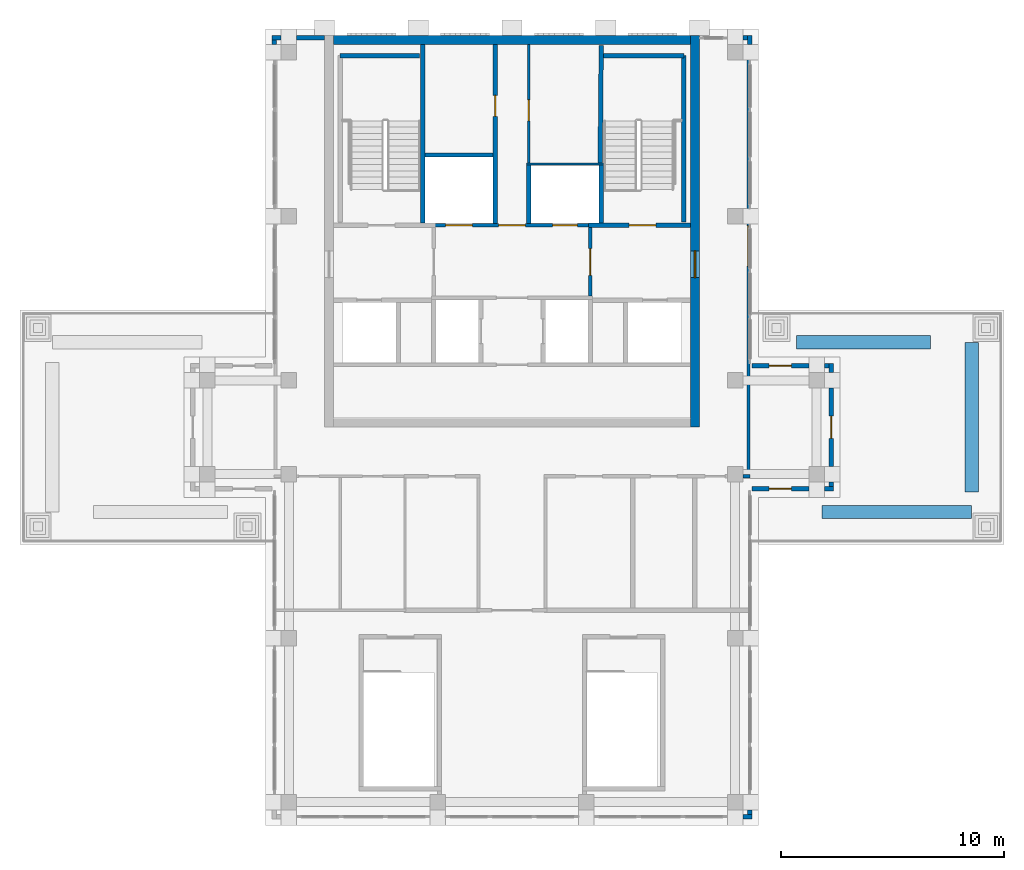
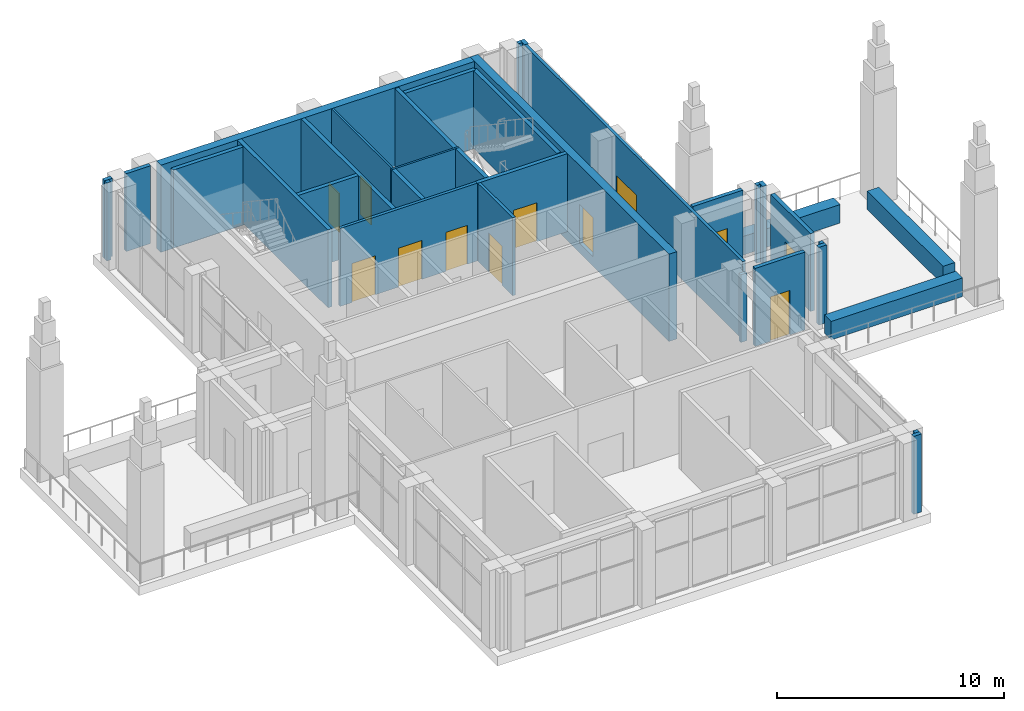
# One storey, part 8 of 12: 35 walls, 12 doors, 12 openings.
"""IFC4 building model written with IfcOpenShell, lengths in metres."""

from ifc_helpers import new_model, si_unit, direction, frame, frame_2d, origin, place, context, subcontext, project, spatial, rectangle, extrude, material, layer, layer_set, type_object, element, fill, save


model = new_model("IFC4")

# Units and contexts
model_context = context("Model", 3, precision=1e-05, world=origin(), true_north=direction((0.0, 1.0)))
body_context = subcontext(model_context, "Body", "Model", "MODEL_VIEW")
ifc_project = project(units=[si_unit("LENGTHUNIT", "METRE"), si_unit("AREAUNIT", "SQUARE_METRE"), si_unit("VOLUMEUNIT", "CUBIC_METRE"), si_unit("PLANEANGLEUNIT", "RADIAN"), si_unit("MASSUNIT", "GRAM", prefix="KILO")], contexts=[model_context])

# Site, building, storey
site_placement = place(None, origin())
site = spatial("IfcSite", under=ifc_project, at=site_placement, CompositionType="ELEMENT")
building_placement = place(site_placement, origin())
building = spatial("IfcBuilding", under=site, at=building_placement, Name="Vermilion Ogive Tower", CompositionType="ELEMENT")
storey_placement = place(building_placement, frame((0.0, 0.0, 298.35009765625)))
storey = spatial("IfcBuildingStorey", under=building, at=storey_placement, Name="L77", CompositionType="ELEMENT", Elevation=298.35009765625)

# Wall, opening, door
ifc_material_1 = material(Name="Concrete B60", Category="concrete")
ifc_layer_1 = layer(ifc_material_1, 0.39990234375)
ifc_layer_set_1 = layer_set([ifc_layer_1], Name="Core wall 400 B60")
wall_type_1 = type_object("IfcWallType", Name="Core wall 400 B60", PredefinedType="SHEAR", material=ifc_layer_set_1)
wall_1_placement = place(storey_placement, frame((8.199951171875, 4.199951171875, -0.5), z_axis=(0.0, 0.0, 1.0), x_axis=(0.0, 1.0, 0.0)))
wall_1 = element("IfcWall", 1, at=wall_1_placement, inside=storey, type_object=wall_type_1, Name="L77-CORE-E", PredefinedType="SHEAR", context=body_context, shape_type="SweptSolid", body=[
    extrude(rectangle(XDim=17.550048828125, YDim=0.39990234375, at=frame_2d((8.77490234375, 0.0))), origin(), (0.0, 0.0, 1.0), 4.699951171875),
])
opening_1_placement = place(wall_1_placement, frame((6.699951171875, 0.0, 0.5)))
opening_1 = element("IfcOpeningElement", 2, at=opening_1_placement, cuts=wall_1, Name="Opening DAY007", PredefinedType="OPENING", context=body_context, shape_type="SweptSolid", body=[
    extrude(rectangle(XDim=1.199951171875, YDim=2.10009765625, at=frame_2d((0.60009765625, 1.050048828125))), frame((0.0, 0.2099609375, 0.0), z_axis=(0.0, -1.0, 0.0), x_axis=(1.0, 0.0, 0.0)), (0.0, 0.0, 1.0), 0.419921875),
])
ifc_material_2 = material(Name="Timber door leaf", Category="wood")
door_type_1 = type_object("IfcDoorType", Name="Link door 1200 x 2100 FD60S", OperationType="SINGLE_SWING_LEFT", PredefinedType="DOOR", material=ifc_material_2)
door_1_placement = place(opening_1_placement, origin())
door_1 = element("IfcDoor", 3, at=door_1_placement, inside=storey, type_object=door_type_1, Name="L77-CK-XD2", OperationType="SINGLE_SWING_LEFT", OverallHeight=2.10009765625, OverallWidth=1.199951171875, PredefinedType="DOOR", context=body_context, shape_type="SweptSolid", body=[
    extrude(rectangle(XDim=1.199951171875, YDim=2.10009765625, at=frame_2d((0.60009765625, 1.050048828125))), frame((0.0, 0.02490234375, 0.0), z_axis=(0.0, -1.0, 0.0), x_axis=(1.0, 0.0, 0.0)), (0.0, 0.0, 1.0), 0.050048828125),
])
fill(opening_1, door_1)

# Walls
wall_2_placement = place(storey_placement, frame((-8.0, 21.550048828125, -0.5), z_axis=(0.0, 0.0, 1.0), x_axis=(1.0, 0.0, 0.0)))
element("IfcWall", 4, at=wall_2_placement, inside=storey, type_object=wall_type_1, Name="L77-CORE-N", PredefinedType="SHEAR", context=body_context, shape_type="SweptSolid", body=[
    extrude(rectangle(XDim=16.0, YDim=0.39990234375, at=frame_2d((8.0, 0.0))), origin(), (0.0, 0.0, 1.0), 4.699951171875),
])
ifc_material_3 = material(Name="Gypsum board partition on steel studs", Category="steel")
ifc_layer_2 = layer(ifc_material_3, 0.10009765625)
ifc_layer_set_2 = layer_set([ifc_layer_2], Name="Partition 100 bath")
wall_type_2 = type_object("IfcWallType", Name="Partition 100 bath", PredefinedType="PARTITIONING", material=ifc_layer_set_2)
wall_3_placement = place(storey_placement, frame((0.64990234375, 16.0, 0.0), z_axis=(0.0, 0.0, 1.0), x_axis=(1.0, 0.0, 0.0)))
element("IfcWall", 5, at=wall_3_placement, inside=storey, type_object=wall_type_2, Name="L77-CK-W-W008", PredefinedType="PARTITIONING", context=body_context, shape_type="SweptSolid", body=[
    extrude(rectangle(XDim=3.4501953125, YDim=0.10009765625, at=frame_2d((1.72509765625, 0.0))), origin(), (0.0, 0.0, 1.0), 4.199951171875),
])

# Wall, opening, door
wall_4_placement = place(storey_placement, frame((0.75, 16.050048828125, 0.0), z_axis=(0.0, 0.0, 1.0), x_axis=(0.0, 1.0, 0.0)))
wall_4 = element("IfcWall", 6, at=wall_4_placement, inside=storey, type_object=wall_type_2, Name="L77-CK-W-W017", PredefinedType="PARTITIONING", context=body_context, shape_type="SweptSolid", body=[
    extrude(rectangle(XDim=5.299072265625, YDim=0.10009765625, at=frame_2d((2.6494140625, 0.0))), origin(), (0.0, 0.0, 1.0), 4.199951171875),
])
opening_2_placement = place(wall_4_placement, frame((1.875, 0.0, 0.0)))
opening_2 = element("IfcOpeningElement", 7, at=opening_2_placement, cuts=wall_4, Name="Opening DAE089", PredefinedType="OPENING", context=body_context, shape_type="SweptSolid", body=[
    extrude(rectangle(XDim=0.949951171875, YDim=2.10009765625, at=frame_2d((0.47509765625, 1.050048828125))), frame((0.0, 0.06005859375, 0.0), z_axis=(0.0, -1.0, 0.0), x_axis=(1.0, 0.0, 0.0)), (0.0, 0.0, 1.0), 0.1201171875),
])
ifc_material_4 = material(Name="Timber door leaf", Category="wood")
door_type_2 = type_object("IfcDoorType", Name="Service door 950 x 2100 FD60", OperationType="SINGLE_SWING_LEFT", PredefinedType="DOOR", material=ifc_material_4)
door_2_placement = place(opening_2_placement, origin())
door_2 = element("IfcDoor", 8, at=door_2_placement, inside=storey, type_object=door_type_2, Name="L77-CK-D-D013", OperationType="SINGLE_SWING_LEFT", OverallHeight=2.10009765625, OverallWidth=0.949951171875, PredefinedType="DOOR", context=body_context, shape_type="SweptSolid", body=[
    extrude(rectangle(XDim=0.949951171875, YDim=2.10009765625, at=frame_2d((0.47509765625, 1.050048828125))), frame((0.0, 0.02490234375, 0.0), z_axis=(0.0, -1.0, 0.0), x_axis=(1.0, 0.0, 0.0)), (0.0, 0.0, 1.0), 0.050048828125),
])
fill(opening_2, door_2)

ifc_material_5 = material(Name="Gypsum board partition on steel studs", Category="steel")
ifc_layer_3 = layer(ifc_material_5, 0.14990234375)
ifc_layer_set_3 = layer_set([ifc_layer_3], Name="Partition 150 corridor")
wall_type_3 = type_object("IfcWallType", Name="Partition 150 corridor", PredefinedType="PARTITIONING", material=ifc_layer_set_3)
wall_5_placement = place(storey_placement, frame((10.60009765625, 2.074951171875, 0.0), z_axis=(0.0, 0.0, 1.0), x_axis=(0.0, 1.0, 0.0)))
wall_5 = element("IfcWall", 9, at=wall_5_placement, inside=storey, type_object=wall_type_3, Name="L77-FS-W-W015", PredefinedType="PARTITIONING", context=body_context, shape_type="SweptSolid", body=[
    extrude(rectangle(XDim=19.275146484375, YDim=0.14990234375, at=frame_2d((9.6376953125, 0.0))), origin(), (0.0, 0.0, 1.0), 4.199951171875),
])
opening_3_placement = place(wall_5_placement, frame((9.35009765625, 0.0, 0.0)))
opening_3 = element("IfcOpeningElement", 10, at=opening_3_placement, cuts=wall_5, Name="Opening L77S009", PredefinedType="OPENING", context=body_context, shape_type="SweptSolid", body=[
    extrude(rectangle(XDim=1.800048828125, YDim=2.10009765625, at=frame_2d((0.89990234375, 1.050048828125))), frame((0.0, 0.0849609375, 0.0), z_axis=(0.0, -1.0, 0.0), x_axis=(1.0, 0.0, 0.0)), (0.0, 0.0, 1.0), 0.169921875),
])
ifc_material_6 = material(Name="Timber door leaf", Category="wood")
door_type_3 = type_object("IfcDoorType", Name="External door 1800 x 2100 FD30", OperationType="DOUBLE_DOOR_SINGLE_SWING", PredefinedType="DOOR", material=ifc_material_6)
door_3_placement = place(opening_3_placement, origin())
door_3 = element("IfcDoor", 11, at=door_3_placement, inside=storey, type_object=door_type_3, Name="L77-FS-D-D009", OperationType="DOUBLE_DOOR_SINGLE_SWING", OverallHeight=2.10009765625, OverallWidth=1.800048828125, PredefinedType="DOOR", context=body_context, shape_type="SweptSolid", body=[
    extrude(rectangle(XDim=1.800048828125, YDim=2.10009765625, at=frame_2d((0.89990234375, 1.050048828125))), frame((0.0, 0.02490234375, 0.0), z_axis=(0.0, -1.0, 0.0), x_axis=(1.0, 0.0, 0.0)), (0.0, 0.0, 1.0), 0.050048828125),
])
fill(opening_3, door_3)

# Wall, openings, doors
wall_6_placement = place(storey_placement, frame((-3.574951171875, 13.25, 0.0), z_axis=(0.0, 0.0, 1.0), x_axis=(1.0, 0.0, 0.0)))
wall_6 = element("IfcWall", 12, at=wall_6_placement, inside=storey, type_object=wall_type_3, Name="L77-CK-W-W006", PredefinedType="PARTITIONING", context=body_context, shape_type="SweptSolid", body=[
    extrude(rectangle(XDim=7.14990234375, YDim=0.14990234375, at=frame_2d((3.574951171875, 0.0))), origin(), (0.0, 0.0, 1.0), 4.199951171875),
])
opening_4_placement = place(wall_6_placement, frame((0.599853515625, 0.0, 0.0)))
opening_4 = element("IfcOpeningElement", 13, at=opening_4_placement, cuts=wall_6, Name="Opening DAE097", PredefinedType="OPENING", context=body_context, shape_type="SweptSolid", body=[
    extrude(rectangle(XDim=1.199951171875, YDim=2.10009765625, at=frame_2d((0.60009765625, 1.050048828125))), frame((0.0, 0.0849609375, 0.0), z_axis=(0.0, -1.0, 0.0), x_axis=(1.0, 0.0, 0.0)), (0.0, 0.0, 1.0), 0.169921875),
])
opening_5_placement = place(wall_6_placement, frame((5.39990234375, 0.0, 0.0)))
opening_5 = element("IfcOpeningElement", 14, at=opening_5_placement, cuts=wall_6, Name="Opening DAE096", PredefinedType="OPENING", context=body_context, shape_type="SweptSolid", body=[
    extrude(rectangle(XDim=1.10009765625, YDim=2.10009765625, at=frame_2d((0.550048828125, 1.050048828125))), frame((0.0, 0.0849609375, 0.0), z_axis=(0.0, -1.0, 0.0), x_axis=(1.0, 0.0, 0.0)), (0.0, 0.0, 1.0), 0.169921875),
])
opening_6_placement = place(wall_6_placement, frame((2.974853515625, 0.0, 0.0)))
opening_6 = element("IfcOpeningElement", 15, at=opening_6_placement, cuts=wall_6, Name="Opening DAE087", PredefinedType="OPENING", context=body_context, shape_type="SweptSolid", body=[
    extrude(rectangle(XDim=1.199951171875, YDim=2.10009765625, at=frame_2d((0.60009765625, 1.050048828125))), frame((0.0, 0.0849609375, 0.0), z_axis=(0.0, -1.0, 0.0), x_axis=(1.0, 0.0, 0.0)), (0.0, 0.0, 1.0), 0.169921875),
])
ifc_material_7 = material(Name="Stainless steel", Category="steel")
door_type_4 = type_object("IfcDoorType", Name="Lift landing door 1100 x 2100", OperationType="SLIDING_TO_LEFT", PredefinedType="DOOR", material=ifc_material_7)
door_4_placement = place(opening_5_placement, origin())
door_4 = element("IfcDoor", 16, at=door_4_placement, inside=storey, type_object=door_type_4, Name="L77-CK-D-D010", OperationType="SLIDING_TO_LEFT", OverallHeight=2.10009765625, OverallWidth=1.10009765625, PredefinedType="DOOR", context=body_context, shape_type="SweptSolid", body=[
    extrude(rectangle(XDim=1.10009765625, YDim=2.10009765625, at=frame_2d((0.550048828125, 1.050048828125))), frame((0.0, 0.02490234375, 0.0), z_axis=(0.0, -1.0, 0.0), x_axis=(1.0, 0.0, 0.0)), (0.0, 0.0, 1.0), 0.050048828125),
])
fill(opening_5, door_4)
ifc_material_8 = material(Name="Stainless steel", Category="steel")
door_type_5 = type_object("IfcDoorType", Name="Lift landing door 1200 x 2100", OperationType="SLIDING_TO_LEFT", PredefinedType="DOOR", material=ifc_material_8)
door_5_placement = place(opening_4_placement, origin())
door_5 = element("IfcDoor", 17, at=door_5_placement, inside=storey, type_object=door_type_5, Name="L77-CK-D-D009", OperationType="SLIDING_TO_RIGHT", OverallHeight=2.10009765625, OverallWidth=1.199951171875, PredefinedType="DOOR", context=body_context, shape_type="SweptSolid", body=[
    extrude(rectangle(XDim=1.199951171875, YDim=2.10009765625, at=frame_2d((0.60009765625, 1.050048828125))), frame((0.0, 0.02490234375, 0.0), z_axis=(0.0, -1.0, 0.0), x_axis=(1.0, 0.0, 0.0)), (0.0, 0.0, 1.0), 0.050048828125),
])
fill(opening_4, door_5)
ifc_material_9 = material(Name="Timber door leaf", Category="wood")
door_type_6 = type_object("IfcDoorType", Name="Service door 1200 x 2100 FD60", OperationType="SINGLE_SWING_LEFT", PredefinedType="DOOR", material=ifc_material_9)
door_6_placement = place(opening_6_placement, origin())
door_6 = element("IfcDoor", 18, at=door_6_placement, inside=storey, type_object=door_type_6, Name="L77-CK-D-D011", OperationType="SINGLE_SWING_RIGHT", OverallHeight=2.10009765625, OverallWidth=1.199951171875, PredefinedType="DOOR", context=body_context, shape_type="SweptSolid", body=[
    extrude(rectangle(XDim=1.199951171875, YDim=2.10009765625, at=frame_2d((0.60009765625, 1.050048828125))), frame((0.0, 0.02490234375, 0.0), z_axis=(0.0, -1.0, 0.0), x_axis=(1.0, 0.0, 0.0)), (0.0, 0.0, 1.0), 0.050048828125),
])
fill(opening_6, door_6)

# Wall, opening, door
wall_7_placement = place(storey_placement, frame((3.5, 10.074951171875, 0.0), z_axis=(0.0, 0.0, 1.0), x_axis=(0.0, 1.0, 0.0)))
wall_7 = element("IfcWall", 19, at=wall_7_placement, inside=storey, type_object=wall_type_3, Name="L77-CK-W-W020", PredefinedType="PARTITIONING", context=body_context, shape_type="SweptSolid", body=[
    extrude(rectangle(XDim=3.074951171875, YDim=0.14990234375, at=frame_2d((1.53759765625, 0.0))), origin(), (0.0, 0.0, 1.0), 4.199951171875),
])
opening_7_placement = place(wall_7_placement, frame((0.925048828125, 0.0, 0.0)))
opening_7 = element("IfcOpeningElement", 20, at=opening_7_placement, cuts=wall_7, Name="Opening DAE084", PredefinedType="OPENING", context=body_context, shape_type="SweptSolid", body=[
    extrude(rectangle(XDim=1.199951171875, YDim=2.10009765625, at=frame_2d((0.60009765625, 1.050048828125))), frame((0.0, 0.0849609375, 0.0), z_axis=(0.0, -1.0, 0.0), x_axis=(1.0, 0.0, 0.0)), (0.0, 0.0, 1.0), 0.169921875),
])
ifc_material_10 = material(Name="Timber door leaf", Category="wood")
door_type_7 = type_object("IfcDoorType", Name="Lobby door 1200 x 2100 FD60S", OperationType="SINGLE_SWING_LEFT", PredefinedType="DOOR", material=ifc_material_10)
door_7_placement = place(opening_7_placement, origin())
door_7 = element("IfcDoor", 21, at=door_7_placement, inside=storey, type_object=door_type_7, Name="L77-CK-D-D015", OperationType="SINGLE_SWING_LEFT", OverallHeight=2.10009765625, OverallWidth=1.199951171875, PredefinedType="DOOR", context=body_context, shape_type="SweptSolid", body=[
    extrude(rectangle(XDim=1.199951171875, YDim=2.10009765625, at=frame_2d((0.60009765625, 1.050048828125))), frame((0.0, 0.02490234375, 0.0), z_axis=(0.0, -1.0, 0.0), x_axis=(1.0, 0.0, 0.0)), (0.0, 0.0, 1.0), 0.050048828125),
])
fill(opening_7, door_7)

# Walls
wall_8_placement = place(storey_placement, frame((10.35009765625, 2.0, 0.0), z_axis=(0.0, 0.0, 1.0), x_axis=(1.0, 0.0, 0.0)))
element("IfcWall", 22, at=wall_8_placement, inside=storey, type_object=wall_type_3, Name="L77-FS-W-W007-h1", PredefinedType="PARTITIONING", context=body_context, shape_type="SweptSolid", body=[
    extrude(rectangle(XDim=0.324951171875, YDim=0.14990234375, at=frame_2d((0.16259765625, 0.0))), origin(), (0.0, 0.0, 1.0), 3.64990234375),
])
ifc_material_11 = material(Name="Gypsum board partition on steel studs", Category="steel")
ifc_layer_4 = layer(ifc_material_11, 0.199951171875)
ifc_layer_set_4 = layer_set([ifc_layer_4], Name="Partition 200 party")
wall_type_4 = type_object("IfcWallType", Name="Partition 200 party", PredefinedType="PARTITIONING", material=ifc_layer_set_4)
wall_9_placement = place(storey_placement, frame((-3.89990234375, 16.39990234375, 0.0), z_axis=(0.0, 0.0, 1.0), x_axis=(1.0, 0.0, 0.0)))
element("IfcWall", 23, at=wall_9_placement, inside=storey, type_object=wall_type_4, Name="L77-CK-W-W009", PredefinedType="PARTITIONING", context=body_context, shape_type="SweptSolid", body=[
    extrude(rectangle(XDim=3.0498046875, YDim=0.199951171875, at=frame_2d((1.52490234375, 0.0))), origin(), (0.0, 0.0, 1.0), 4.199951171875),
])

# Wall, opening, door
wall_10_placement = place(storey_placement, frame((-0.75, 13.324951171875, 0.0), z_axis=(0.0, 0.0, 1.0), x_axis=(0.0, 1.0, 0.0)))
wall_10 = element("IfcWall", 24, at=wall_10_placement, inside=storey, type_object=wall_type_4, Name="L77-CK-W-W015", PredefinedType="PARTITIONING", context=body_context, shape_type="SweptSolid", body=[
    extrude(rectangle(XDim=8.024169921875, YDim=0.199951171875, at=frame_2d((4.01220703125, 0.0))), origin(), (0.0, 0.0, 1.0), 4.199951171875),
])
opening_8_placement = place(wall_10_placement, frame((4.800048828125, 0.0, 0.0)))
opening_8 = element("IfcOpeningElement", 25, at=opening_8_placement, cuts=wall_10, Name="Opening DAE088", PredefinedType="OPENING", context=body_context, shape_type="SweptSolid", body=[
    extrude(rectangle(XDim=0.949951171875, YDim=2.10009765625, at=frame_2d((0.47509765625, 1.050048828125))), frame((0.0, 0.10986328125, 0.0), z_axis=(0.0, -1.0, 0.0), x_axis=(1.0, 0.0, 0.0)), (0.0, 0.0, 1.0), 0.219970703125),
])
door_8_placement = place(opening_8_placement, origin())
door_8 = element("IfcDoor", 26, at=door_8_placement, inside=storey, type_object=door_type_2, Name="L77-CK-D-D012", OperationType="SINGLE_SWING_RIGHT", OverallHeight=2.10009765625, OverallWidth=0.949951171875, PredefinedType="DOOR", context=body_context, shape_type="SweptSolid", body=[
    extrude(rectangle(XDim=0.949951171875, YDim=2.10009765625, at=frame_2d((0.47509765625, 1.050048828125))), frame((0.0, 0.02490234375, 0.0), z_axis=(0.0, -1.0, 0.0), x_axis=(1.0, 0.0, 0.0)), (0.0, 0.0, 1.0), 0.050048828125),
])
fill(opening_8, door_8)

# Wall
wall_11_placement = place(storey_placement, frame((0.75, 13.324951171875, 0.0), z_axis=(0.0, 0.0, 1.0), x_axis=(0.0, 1.0, 0.0)))
element("IfcWall", 27, at=wall_11_placement, inside=storey, type_object=wall_type_4, Name="L77-CK-W-W016", PredefinedType="PARTITIONING", context=body_context, shape_type="SweptSolid", body=[
    extrude(rectangle(XDim=2.625, YDim=0.199951171875, at=frame_2d((1.3125, 0.0))), origin(), (0.0, 0.0, 1.0), 4.199951171875),
])

# Wall, opening, door
ifc_material_12 = material(Name="Concrete B60", Category="concrete")
ifc_layer_5 = layer(ifc_material_12, 0.199951171875)
ifc_layer_set_5 = layer_set([ifc_layer_5], Name="Stair shaft wall 200 Concrete B60")
wall_type_5 = type_object("IfcWallType", Name="Stair shaft wall 200 Concrete B60", PredefinedType="SOLIDWALL", material=ifc_layer_set_5)
wall_12_placement = place(storey_placement, frame((3.425048828125, 13.25, 0.0), z_axis=(0.0, 0.0, 1.0), x_axis=(1.0, 0.0, 0.0)))
wall_12 = element("IfcWall", 28, at=wall_12_placement, inside=storey, type_object=wall_type_5, Name="L77-CK-W-W007", PredefinedType="SOLIDWALL", context=body_context, shape_type="SweptSolid", body=[
    extrude(rectangle(XDim=4.573974609375, YDim=0.199951171875, at=frame_2d((2.287109375, 0.0))), origin(), (0.0, 0.0, 1.0), 4.199951171875),
])
opening_9_placement = place(wall_12_placement, frame((1.824951171875, 0.0, 0.0)))
opening_9 = element("IfcOpeningElement", 29, at=opening_9_placement, cuts=wall_12, Name="Opening DAE091", PredefinedType="OPENING", context=body_context, shape_type="SweptSolid", body=[
    extrude(rectangle(XDim=1.199951171875, YDim=2.10009765625, at=frame_2d((0.60009765625, 1.050048828125))), frame((0.0, 0.10986328125, 0.0), z_axis=(0.0, -1.0, 0.0), x_axis=(1.0, 0.0, 0.0)), (0.0, 0.0, 1.0), 0.219970703125),
])
ifc_material_13 = material(Name="Timber door leaf", Category="wood")
door_type_8 = type_object("IfcDoorType", Name="Stair door 1200 x 2100 FD60S", OperationType="SINGLE_SWING_LEFT", PredefinedType="DOOR", material=ifc_material_13)
door_9_placement = place(opening_9_placement, origin())
door_9 = element("IfcDoor", 30, at=door_9_placement, inside=storey, type_object=door_type_8, Name="L77-CK-D-D003", OperationType="SINGLE_SWING_RIGHT", OverallHeight=2.10009765625, OverallWidth=1.199951171875, PredefinedType="DOOR", context=body_context, shape_type="SweptSolid", body=[
    extrude(rectangle(XDim=1.199951171875, YDim=2.10009765625, at=frame_2d((0.60009765625, 1.050048828125))), frame((0.0, 0.02490234375, 0.0), z_axis=(0.0, -1.0, 0.0), x_axis=(1.0, 0.0, 0.0)), (0.0, 0.0, 1.0), 0.050048828125),
])
fill(opening_9, door_9)

# Walls
wall_13_placement = place(storey_placement, frame((-4.0, 13.35009765625, 0.0), z_axis=(0.0, 0.0, 1.0), x_axis=(0.0, 1.0, 0.0)))
element("IfcWall", 31, at=wall_13_placement, inside=storey, type_object=wall_type_5, Name="L77-CK-W-W011", PredefinedType="SOLIDWALL", context=body_context, shape_type="SweptSolid", body=[
    extrude(rectangle(XDim=7.9990234375, YDim=0.199951171875, at=frame_2d((3.99951171875, 0.0))), origin(), (0.0, 0.0, 1.0), 4.199951171875),
])
wall_14_placement = place(storey_placement, frame((4.0, 13.35009765625, 0.0), z_axis=(0.0, 0.0, 1.0), x_axis=(0.0, 1.0, 0.0)))
element("IfcWall", 32, at=wall_14_placement, inside=storey, type_object=wall_type_5, Name="L77-CK-W-W021", PredefinedType="SOLIDWALL", context=body_context, shape_type="SweptSolid", body=[
    extrude(rectangle(XDim=2.599853515625, YDim=0.199951171875, at=frame_2d((1.2998046875, 0.0))), origin(), (0.0, 0.0, 1.0), 4.199951171875),
])
wall_15_placement = place(storey_placement, frame((3.949951171875, 16.050048828125, 0.0), z_axis=(0.0, 0.0, 1.0), x_axis=(0.009534450323, 0.999954546095, 0.0)))
element("IfcWall", 33, at=wall_15_placement, inside=storey, type_object=wall_type_5, Name="L77-CK-W-W022", PredefinedType="SOLIDWALL", context=body_context, shape_type="SweptSolid", body=[
    extrude(rectangle(XDim=5.249267578125, YDim=0.199951171875, at=frame_2d((2.62451171875, 0.0))), origin(), (0.0, 0.0, 1.0), 4.199951171875),
])
wall_16_placement = place(storey_placement, frame((-7.699951171875, 20.85009765625, 0.0), z_axis=(0.0, 0.0, 1.0), x_axis=(1.0, 0.0, 0.0)))
element("IfcWall", 34, at=wall_16_placement, inside=storey, type_object=wall_type_5, Name="L77-SW-R003-N1", PredefinedType="SOLIDWALL", context=body_context, shape_type="SweptSolid", body=[
    extrude(rectangle(XDim=3.550048828125, YDim=0.199951171875, at=frame_2d((1.77490234375, 0.0))), origin(), (0.0, 0.0, 1.0), 4.199951171875),
])
wall_17_placement = place(storey_placement, frame((7.699951171875, 13.39990234375, 0.0), z_axis=(0.0, 0.0, 1.0), x_axis=(0.0, 1.0, 0.0)))
element("IfcWall", 35, at=wall_17_placement, inside=storey, type_object=wall_type_5, Name="L77-SW-R007-E1", PredefinedType="SOLIDWALL", context=body_context, shape_type="SweptSolid", body=[
    extrude(rectangle(XDim=7.4501953125, YDim=0.199951171875, at=frame_2d((3.72509765625, 0.0))), origin(), (0.0, 0.0, 1.0), 4.199951171875),
])
wall_18_placement = place(storey_placement, frame((4.10009765625, 20.85009765625, 0.0), z_axis=(0.0, 0.0, 1.0), x_axis=(1.0, 0.0, 0.0)))
element("IfcWall", 36, at=wall_18_placement, inside=storey, type_object=wall_type_5, Name="L77-SW-R007-N1", PredefinedType="SOLIDWALL", context=body_context, shape_type="SweptSolid", body=[
    extrude(rectangle(XDim=3.599853515625, YDim=0.199951171875, at=frame_2d((1.7998046875, 0.0))), origin(), (0.0, 0.0, 1.0), 4.199951171875),
])
ifc_material_14 = material(Name="Concrete B40", Category="concrete")
ifc_layer_6 = layer(ifc_material_14, 0.60009765625)
ifc_layer_set_6 = layer_set([ifc_layer_6], Name="Terrace planter")
wall_type_6 = type_object("IfcWallType", Name="Terrace planter", PredefinedType="USERDEFINED", material=ifc_layer_set_6)
wall_19_placement = place(storey_placement, frame((12.75, 8.0, 0.0), z_axis=(0.0, 0.0, 1.0), x_axis=(1.0, 0.0, 0.0)))
element("IfcWall", 37, at=wall_19_placement, inside=storey, type_object=wall_type_6, Name="Terrace planter 2.1.1", ObjectType="PLANTER", PredefinedType="USERDEFINED", context=body_context, shape_type="SweptSolid", body=[
    extrude(rectangle(XDim=6.0, YDim=0.60009765625, at=frame_2d((3.0, 0.0))), origin(), (0.0, 0.0, 1.0), 1.0),
])
wall_20_placement = place(storey_placement, frame((20.60009765625, 8.0, 0.0), z_axis=(0.0, 0.0, 1.0), x_axis=(0.0, -1.0, 0.0)))
element("IfcWall", 38, at=wall_20_placement, inside=storey, type_object=wall_type_6, Name="Terrace planter 2.1.2", ObjectType="PLANTER", PredefinedType="USERDEFINED", context=body_context, shape_type="SweptSolid", body=[
    extrude(rectangle(XDim=6.699951171875, YDim=0.60009765625, at=frame_2d((3.35009765625, 0.0))), origin(), (0.0, 0.0, 1.0), 1.0),
])
wall_21_placement = place(storey_placement, frame((20.60009765625, 0.39990234375, 0.0), z_axis=(0.0, 0.0, 1.0), x_axis=(-1.0, 0.0, 0.0)))
element("IfcWall", 39, at=wall_21_placement, inside=storey, type_object=wall_type_6, Name="Terrace planter 2.1.3", ObjectType="PLANTER", PredefinedType="USERDEFINED", context=body_context, shape_type="SweptSolid", body=[
    extrude(rectangle(XDim=6.7001953125, YDim=0.60009765625, at=frame_2d((3.35009765625, 0.0))), origin(), (0.0, 0.0, 1.0), 1.0),
])
ifc_material_15 = material(Name="Aluminium window wall framing", Category="aluminium")
ifc_layer_7 = layer(ifc_material_15, 0.199951171875)
ifc_layer_set_7 = layer_set([ifc_layer_7], Name="Window wall")
wall_type_7 = type_object("IfcWallType", Name="Window wall", PredefinedType="STANDARD", material=ifc_layer_set_7)
wall_22_placement = place(storey_placement, frame((10.35009765625, -13.25, 0.0), z_axis=(0.0, 0.0, 1.0), x_axis=(1.0, 0.0, 0.0)))
element("IfcWall", 40, at=wall_22_placement, inside=storey, type_object=wall_type_7, Name="Window wall S5", PredefinedType="STANDARD", context=body_context, shape_type="SweptSolid", body=[
    extrude(rectangle(XDim=0.39990234375, YDim=0.199951171875, at=frame_2d((0.199951171875, 0.0))), origin(), (0.0, 0.0, 1.0), 4.199951171875),
])
wall_23_placement = place(storey_placement, frame((10.64990234375, -13.14990234375, 0.0), z_axis=(0.0, 0.0, 1.0), x_axis=(0.0, 1.0, 0.0)))
element("IfcWall", 41, at=wall_23_placement, inside=storey, type_object=wall_type_7, Name="Window wall X11", PredefinedType="STANDARD", context=body_context, shape_type="SweptSolid", body=[
    extrude(rectangle(XDim=0.199951171875, YDim=0.199951171875, at=frame_2d((0.10009765625, 0.0))), origin(), (0.0, 0.0, 1.0), 4.199951171875),
])

# Wall, opening, door
wall_24_placement = place(storey_placement, frame((10.75, 1.449951171875, 0.0), z_axis=(0.0, 0.0, 1.0), x_axis=(1.0, 0.0, 0.0)))
wall_24 = element("IfcWall", 42, at=wall_24_placement, inside=storey, type_object=wall_type_7, Name="Window wall X21", PredefinedType="STANDARD", context=body_context, shape_type="SweptSolid", body=[
    extrude(rectangle(XDim=2.550048828125, YDim=0.199951171875, at=frame_2d((1.27490234375, 0.0))), origin(), (0.0, 0.0, 1.0), 4.199951171875),
])
opening_10_placement = place(wall_24_placement, frame((0.77490234375, 0.0, 0.0)))
opening_10 = element("IfcOpeningElement", 43, at=opening_10_placement, cuts=wall_24, Name="Opening D1-X2X", PredefinedType="OPENING", context=body_context, shape_type="SweptSolid", body=[
    extrude(rectangle(XDim=1.0, YDim=2.39990234375, at=frame_2d((0.5, 1.199951171875))), frame((0.0, 0.10986328125, 0.0), z_axis=(0.0, -1.0, 0.0), x_axis=(1.0, 0.0, 0.0)), (0.0, 0.0, 1.0), 0.219970703125),
])
ifc_material_16 = material(Name="Aluminium framed glazed door", Category="aluminium")
door_type_9 = type_object("IfcDoorType", Name="Balcony door D1", OperationType="SINGLE_SWING_LEFT", PredefinedType="DOOR", material=ifc_material_16)
door_10_placement = place(opening_10_placement, origin())
door_10 = element("IfcDoor", 44, at=door_10_placement, inside=storey, type_object=door_type_9, Name="Balcony door X2X", OperationType="SINGLE_SWING_LEFT", OverallHeight=2.39990234375, OverallWidth=1.0, PredefinedType="DOOR", context=body_context, shape_type="SweptSolid", body=[
    extrude(rectangle(XDim=1.0, YDim=2.39990234375, at=frame_2d((0.5, 1.199951171875))), frame((0.0, 0.02490234375, 0.0), z_axis=(0.0, -1.0, 0.0), x_axis=(1.0, 0.0, 0.0)), (0.0, 0.0, 1.0), 0.050048828125),
])
fill(opening_10, door_10)

# Walls
wall_25_placement = place(storey_placement, frame((14.0, 1.449951171875, 0.0), z_axis=(0.0, 0.0, 1.0), x_axis=(1.0, 0.0, 0.0)))
element("IfcWall", 45, at=wall_25_placement, inside=storey, type_object=wall_type_7, Name="Window wall X22", PredefinedType="STANDARD", context=body_context, shape_type="SweptSolid", body=[
    extrude(rectangle(XDim=0.39990234375, YDim=0.199951171875, at=frame_2d((0.199951171875, 0.0))), origin(), (0.0, 0.0, 1.0), 4.199951171875),
])
wall_26_placement = place(storey_placement, frame((14.300048828125, 1.550048828125, 0.0), z_axis=(0.0, 0.0, 1.0), x_axis=(0.0, 1.0, 0.0)))
element("IfcWall", 46, at=wall_26_placement, inside=storey, type_object=wall_type_7, Name="Window wall E1", PredefinedType="STANDARD", context=body_context, shape_type="SweptSolid", body=[
    extrude(rectangle(XDim=0.199951171875, YDim=0.199951171875, at=frame_2d((0.10009765625, 0.0))), origin(), (0.0, 0.0, 1.0), 4.199951171875),
])

# Wall, opening, door
wall_27_placement = place(storey_placement, frame((14.300048828125, 2.449951171875, 0.0), z_axis=(0.0, 0.0, 1.0), x_axis=(0.0, 1.0, 0.0)))
wall_27 = element("IfcWall", 47, at=wall_27_placement, inside=storey, type_object=wall_type_7, Name="Window wall E2", PredefinedType="STANDARD", context=body_context, shape_type="SweptSolid", body=[
    extrude(rectangle(XDim=3.5, YDim=0.199951171875, at=frame_2d((1.75, 0.0))), origin(), (0.0, 0.0, 1.0), 4.199951171875),
])
opening_11_placement = place(wall_27_placement, frame((1.25, 0.0, 0.0)))
opening_11 = element("IfcOpeningElement", 48, at=opening_11_placement, cuts=wall_27, Name="Opening D1-EX", PredefinedType="OPENING", context=body_context, shape_type="SweptSolid", body=[
    extrude(rectangle(XDim=1.0, YDim=2.39990234375, at=frame_2d((0.5, 1.199951171875))), frame((0.0, 0.10986328125, 0.0), z_axis=(0.0, -1.0, 0.0), x_axis=(1.0, 0.0, 0.0)), (0.0, 0.0, 1.0), 0.219970703125),
])
door_11_placement = place(opening_11_placement, origin())
door_11 = element("IfcDoor", 49, at=door_11_placement, inside=storey, type_object=door_type_9, Name="Balcony door EX", OperationType="SINGLE_SWING_LEFT", OverallHeight=2.39990234375, OverallWidth=1.0, PredefinedType="DOOR", context=body_context, shape_type="SweptSolid", body=[
    extrude(rectangle(XDim=1.0, YDim=2.39990234375, at=frame_2d((0.5, 1.199951171875))), frame((0.0, 0.02490234375, 0.0), z_axis=(0.0, -1.0, 0.0), x_axis=(1.0, 0.0, 0.0)), (0.0, 0.0, 1.0), 0.050048828125),
])
fill(opening_11, door_11)

# Walls
wall_28_placement = place(storey_placement, frame((14.300048828125, 6.64990234375, 0.0), z_axis=(0.0, 0.0, 1.0), x_axis=(0.0, 1.0, 0.0)))
element("IfcWall", 50, at=wall_28_placement, inside=storey, type_object=wall_type_7, Name="Window wall E3", PredefinedType="STANDARD", context=body_context, shape_type="SweptSolid", body=[
    extrude(rectangle(XDim=0.400146484375, YDim=0.199951171875, at=frame_2d((0.2001953125, 0.0))), origin(), (0.0, 0.0, 1.0), 4.199951171875),
])
wall_29_placement = place(storey_placement, frame((14.199951171875, 6.949951171875, 0.0), z_axis=(0.0, 0.0, 1.0), x_axis=(-1.0, 0.0, 0.0)))
element("IfcWall", 51, at=wall_29_placement, inside=storey, type_object=wall_type_7, Name="Window wall X31", PredefinedType="STANDARD", context=body_context, shape_type="SweptSolid", body=[
    extrude(rectangle(XDim=0.199951171875, YDim=0.199951171875, at=frame_2d((0.10009765625, 0.0))), origin(), (0.0, 0.0, 1.0), 4.199951171875),
])

# Wall, opening, door
wall_30_placement = place(storey_placement, frame((13.300048828125, 6.949951171875, 0.0), z_axis=(0.0, 0.0, 1.0), x_axis=(-1.0, 0.0, 0.0)))
wall_30 = element("IfcWall", 52, at=wall_30_placement, inside=storey, type_object=wall_type_7, Name="Window wall X32", PredefinedType="STANDARD", context=body_context, shape_type="SweptSolid", body=[
    extrude(rectangle(XDim=2.550048828125, YDim=0.199951171875, at=frame_2d((1.27490234375, 0.0))), origin(), (0.0, 0.0, 1.0), 4.199951171875),
])
opening_12_placement = place(wall_30_placement, frame((0.77490234375, 0.0, 0.0)))
opening_12 = element("IfcOpeningElement", 53, at=opening_12_placement, cuts=wall_30, Name="Opening D1-X3X", PredefinedType="OPENING", context=body_context, shape_type="SweptSolid", body=[
    extrude(rectangle(XDim=1.0, YDim=2.39990234375, at=frame_2d((0.5, 1.199951171875))), frame((0.0, 0.10986328125, 0.0), z_axis=(0.0, -1.0, 0.0), x_axis=(1.0, 0.0, 0.0)), (0.0, 0.0, 1.0), 0.219970703125),
])
door_12_placement = place(opening_12_placement, origin())
door_12 = element("IfcDoor", 54, at=door_12_placement, inside=storey, type_object=door_type_9, Name="Balcony door X3X", OperationType="SINGLE_SWING_LEFT", OverallHeight=2.39990234375, OverallWidth=1.0, PredefinedType="DOOR", context=body_context, shape_type="SweptSolid", body=[
    extrude(rectangle(XDim=1.0, YDim=2.39990234375, at=frame_2d((0.5, 1.199951171875))), frame((0.0, 0.02490234375, 0.0), z_axis=(0.0, -1.0, 0.0), x_axis=(1.0, 0.0, 0.0)), (0.0, 0.0, 1.0), 0.050048828125),
])
fill(opening_12, door_12)

# Walls
wall_31_placement = place(storey_placement, frame((10.64990234375, 21.35009765625, 0.0), z_axis=(0.0, 0.0, 1.0), x_axis=(0.0, 1.0, 0.0)))
element("IfcWall", 55, at=wall_31_placement, inside=storey, type_object=wall_type_7, Name="Window wall X43", PredefinedType="STANDARD", context=body_context, shape_type="SweptSolid", body=[
    extrude(rectangle(XDim=0.39990234375, YDim=0.199951171875, at=frame_2d((0.199951171875, 0.0))), origin(), (0.0, 0.0, 1.0), 4.199951171875),
])
wall_32_placement = place(storey_placement, frame((10.550048828125, 21.64990234375, 0.0), z_axis=(0.0, 0.0, 1.0), x_axis=(-1.0, 0.0, 0.0)))
element("IfcWall", 56, at=wall_32_placement, inside=storey, type_object=wall_type_7, Name="Window wall N11", PredefinedType="STANDARD", context=body_context, shape_type="SweptSolid", body=[
    extrude(rectangle(XDim=0.199951171875, YDim=0.199951171875, at=frame_2d((0.10009765625, 0.0))), origin(), (0.0, 0.0, 1.0), 4.199951171875),
])
wall_33_placement = place(storey_placement, frame((-8.39990234375, 21.64990234375, 0.0), z_axis=(0.0, 0.0, 1.0), x_axis=(-1.0, 0.0, 0.0)))
element("IfcWall", 57, at=wall_33_placement, inside=storey, type_object=wall_type_7, Name="Window wall N21", PredefinedType="STANDARD", context=body_context, shape_type="SweptSolid", body=[
    extrude(rectangle(XDim=1.25, YDim=0.199951171875, at=frame_2d((0.625, 0.0))), origin(), (0.0, 0.0, 1.0), 4.199951171875),
])
wall_34_placement = place(storey_placement, frame((-10.35009765625, 21.64990234375, 0.0), z_axis=(0.0, 0.0, 1.0), x_axis=(-1.0, 0.0, 0.0)))
element("IfcWall", 58, at=wall_34_placement, inside=storey, type_object=wall_type_7, Name="Window wall N22", PredefinedType="STANDARD", context=body_context, shape_type="SweptSolid", body=[
    extrude(rectangle(XDim=0.39990234375, YDim=0.199951171875, at=frame_2d((0.199951171875, 0.0))), origin(), (0.0, 0.0, 1.0), 4.199951171875),
])
wall_35_placement = place(storey_placement, frame((-10.64990234375, 21.550048828125, 0.0), z_axis=(0.0, 0.0, 1.0), x_axis=(0.0, -1.0, 0.0)))
element("IfcWall", 59, at=wall_35_placement, inside=storey, type_object=wall_type_7, Name="Window wall X51", PredefinedType="STANDARD", context=body_context, shape_type="SweptSolid", body=[
    extrude(rectangle(XDim=0.199951171875, YDim=0.199951171875, at=frame_2d((0.10009765625, 0.0))), origin(), (0.0, 0.0, 1.0), 4.199951171875),
])

save(model, "model.ifc")
